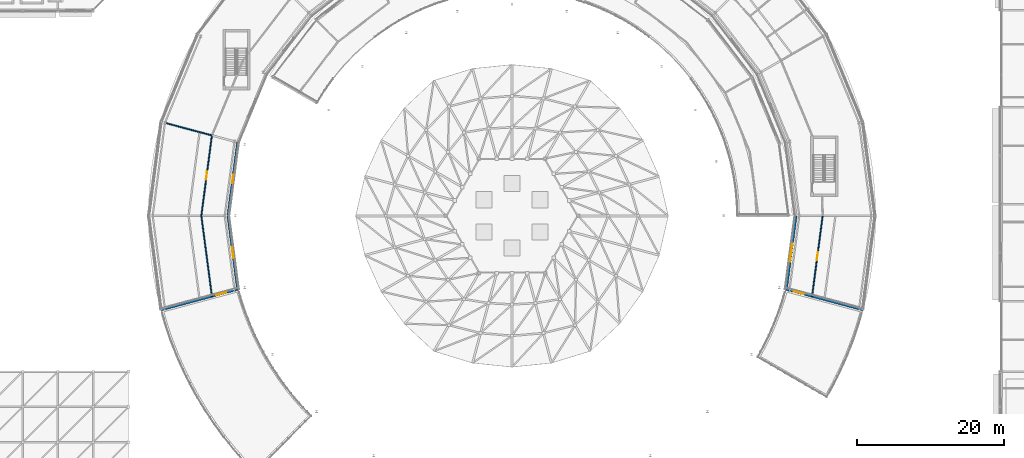
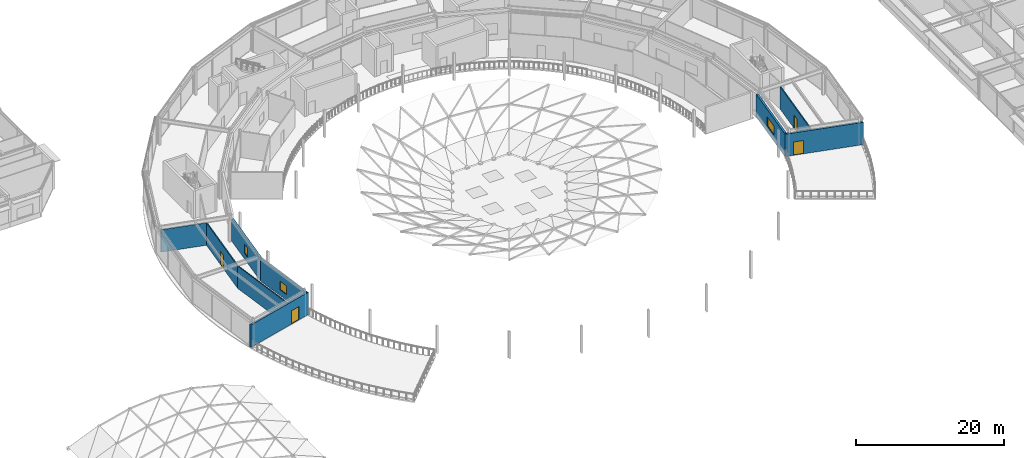
# One storey, part 82 of 116: 9 walls, 4 doors, 3 windows, 7 openings.
"""IFC4 building model written with IfcOpenShell, lengths in metres."""

from ifc_helpers import new_model, si_unit, direction, frame, frame_2d, origin, place, context, subcontext, project, spatial, rectangle, extrude, material, layer, layer_set, type_object, element, fill, save


model = new_model("IFC4")

# Units and contexts
model_context = context("Model", 3, precision=1e-05, world=origin(), true_north=direction((0.0, 1.0)))
body_context = subcontext(model_context, "Body", "Model", "MODEL_VIEW")
ifc_project = project(units=[si_unit("LENGTHUNIT", "METRE"), si_unit("AREAUNIT", "SQUARE_METRE"), si_unit("VOLUMEUNIT", "CUBIC_METRE"), si_unit("PLANEANGLEUNIT", "RADIAN"), si_unit("MASSUNIT", "GRAM", prefix="KILO")], contexts=[model_context])

# Site, building, storey
site_placement = place(None, origin())
site = spatial("IfcSite", under=ifc_project, at=site_placement, CompositionType="ELEMENT")
building_placement = place(site_placement, origin())
building = spatial("IfcBuilding", under=site, at=building_placement, Name="Almandine Court Research Institute", CompositionType="ELEMENT")
storey_placement = place(building_placement, frame((0.0, 0.0, 14.35009765625)))
storey = spatial("IfcBuildingStorey", under=building, at=storey_placement, Name="L03", CompositionType="ELEMENT", Elevation=14.35009765625)

# Wall, opening, window
ifc_material_1 = material(Name="Insulated Ochre Terracotta Rainscreen Wall", Category="masonry")
ifc_layer_1 = layer(ifc_material_1, 0.2900390625)
ifc_layer_set_1 = layer_set([ifc_layer_1], Name="Insulated Ochre Terracotta Rainscreen Wall")
wall_type_1 = type_object("IfcWallType", Name="Wall-EXT-TERR-290", PredefinedType="SOLIDWALL", material=ifc_layer_set_1)
wall_1_placement = place(storey_placement, frame((124.343994140625, 46.0, 0.0), z_axis=(0.0, 0.0, 1.0), x_axis=(0.130450126879, 0.991454872597, 0.0)))
wall_1 = element("IfcWall", 1, at=wall_1_placement, inside=storey, type_object=wall_type_1, Name="L03 Drum Inner Gallery Wall 23", PredefinedType="SOLIDWALL", context=body_context, shape_type="SweptSolid", body=[
    extrude(rectangle(XDim=10.080078125, YDim=0.2900390625, at=frame_2d((5.0400390625, 0.0))), origin(), (0.0, 0.0, 1.0), 3.68701171875),
])
opening_1_placement = place(wall_1_placement, frame((3.800048828125, 0.0, 0.949951171875)))
opening_1 = element("IfcOpeningElement", 2, at=opening_1_placement, cuts=wall_1, Name="Opening WN-112", PredefinedType="OPENING", context=body_context, shape_type="SweptSolid", body=[
    extrude(rectangle(XDim=2.47998046875, YDim=1.510009765625, at=frame_2d((1.239990234375, 0.7548828125))), frame((0.0, 0.155029296875, 0.0), z_axis=(0.0, -1.0, 0.0), x_axis=(1.0, 0.0, 0.0)), (0.0, 0.0, 1.0), 0.31005859375),
])
ifc_material_2 = material(Name="Thermally Broken Low-E Double-Glazed Window", Category="glass")
window_type_1 = type_object("IfcWindowType", Name="Win-WN-112-2480x1510", PartitioningType="SINGLE_PANEL", PredefinedType="WINDOW", material=ifc_material_2)
window_1_placement = place(opening_1_placement, origin())
window_1 = element("IfcWindow", 3, at=window_1_placement, inside=storey, type_object=window_type_1, Name="L03 Modular Recessed Low-E Window 276", OverallHeight=1.510009765625, OverallWidth=2.47998046875, PartitioningType="SINGLE_PANEL", PredefinedType="WINDOW", context=body_context, shape_type="SweptSolid", body=[
    extrude(rectangle(XDim=2.47998046875, YDim=1.510009765625, at=frame_2d((1.239990234375, 0.7548828125))), frame((0.0, 0.030029296875, 0.0), z_axis=(0.0, -1.0, 0.0), x_axis=(1.0, 0.0, 0.0)), (0.0, 0.0, 1.0), 0.06005859375),
])
fill(opening_1, window_1)

wall_2_placement = place(storey_placement, frame((49.656005859375, 66.0, 0.0), z_axis=(0.0, 0.0, 1.0), x_axis=(-0.130450126879, -0.991454872597, 0.0)))
wall_2 = element("IfcWall", 4, at=wall_2_placement, inside=storey, type_object=wall_type_1, Name="L03 Drum Inner Gallery Wall 11", PredefinedType="SOLIDWALL", context=body_context, shape_type="SweptSolid", body=[
    extrude(rectangle(XDim=10.080078125, YDim=0.2900390625, at=frame_2d((5.0400390625, 0.0))), origin(), (0.0, 0.0, 1.0), 3.68701171875),
])
opening_2_placement = place(wall_2_placement, frame((4.4599609375, 0.0, 0.949951171875)))
opening_2 = element("IfcOpeningElement", 5, at=opening_2_placement, cuts=wall_2, Name="Opening WN-100", PredefinedType="OPENING", context=body_context, shape_type="SweptSolid", body=[
    extrude(rectangle(XDim=1.159912109375, YDim=1.510009765625, at=frame_2d((0.580078125, 0.7548828125))), frame((0.0, 0.155029296875, 0.0), z_axis=(0.0, -1.0, 0.0), x_axis=(1.0, 0.0, 0.0)), (0.0, 0.0, 1.0), 0.31005859375),
])
window_type_2 = type_object("IfcWindowType", Name="Win-WN-100-1160x1510", PartitioningType="SINGLE_PANEL", PredefinedType="WINDOW", material=ifc_material_2)
window_2_placement = place(opening_2_placement, origin())
window_2 = element("IfcWindow", 6, at=window_2_placement, inside=storey, type_object=window_type_2, Name="L03 Modular Recessed Low-E Window 288", OverallHeight=1.510009765625, OverallWidth=1.159912109375, PartitioningType="SINGLE_PANEL", PredefinedType="WINDOW", context=body_context, shape_type="SweptSolid", body=[
    extrude(rectangle(XDim=1.159912109375, YDim=1.510009765625, at=frame_2d((0.580078125, 0.7548828125))), frame((0.0, 0.030029296875, 0.0), z_axis=(0.0, -1.0, 0.0), x_axis=(1.0, 0.0, 0.0)), (0.0, 0.0, 1.0), 0.06005859375),
])
fill(opening_2, window_2)

wall_3_placement = place(storey_placement, frame((48.341064453125, 55.993896484375, 0.0), z_axis=(0.0, 0.0, 1.0), x_axis=(0.130450126879, -0.991454872597, 0.0)))
wall_3 = element("IfcWall", 7, at=wall_3_placement, inside=storey, type_object=wall_type_1, Name="L03 Drum Inner Gallery Wall 12", PredefinedType="SOLIDWALL", context=body_context, shape_type="SweptSolid", body=[
    extrude(rectangle(XDim=10.080078125, YDim=0.2900390625, at=frame_2d((5.0400390625, 0.0))), origin(), (0.0, 0.0, 1.0), 3.68701171875),
])
opening_3_placement = place(wall_3_placement, frame((4.294921875, 0.0, 0.949951171875)))
opening_3 = element("IfcOpeningElement", 8, at=opening_3_placement, cuts=wall_3, Name="Opening WN-32", PredefinedType="OPENING", context=body_context, shape_type="SweptSolid", body=[
    extrude(rectangle(XDim=1.489990234375, YDim=1.429931640625, at=frame_2d((0.7451171875, 0.71484375))), frame((0.0, 0.155029296875, 0.0), z_axis=(0.0, -1.0, 0.0), x_axis=(1.0, 0.0, 0.0)), (0.0, 0.0, 1.0), 0.31005859375),
])
window_type_3 = type_object("IfcWindowType", Name="Win-WN-32-1490x1430", PartitioningType="SINGLE_PANEL", PredefinedType="WINDOW", material=ifc_material_2)
window_3_placement = place(opening_3_placement, origin())
window_3 = element("IfcWindow", 9, at=window_3_placement, inside=storey, type_object=window_type_3, Name="L03 Modular Recessed Low-E Window 289", OverallHeight=1.429931640625, OverallWidth=1.489990234375, PartitioningType="SINGLE_PANEL", PredefinedType="WINDOW", context=body_context, shape_type="SweptSolid", body=[
    extrude(rectangle(XDim=1.489990234375, YDim=1.429931640625, at=frame_2d((0.7451171875, 0.71484375))), frame((0.0, 0.030029296875, 0.0), z_axis=(0.0, -1.0, 0.0), x_axis=(1.0, 0.0, 0.0)), (0.0, 0.0, 1.0), 0.06005859375),
])
fill(opening_3, window_3)

# Wall, opening, door
wall_4_placement = place(storey_placement, frame((124.2109375, 46.029052734375, 0.0), z_axis=(0.0, 0.0, 1.0), x_axis=(0.965941286082, -0.258761341476, 0.0)))
wall_4 = element("IfcWall", 10, at=wall_4_placement, inside=storey, type_object=wall_type_1, Name="L03 Drum Radial End Wall START", PredefinedType="SOLIDWALL", context=body_context, shape_type="SweptSolid", body=[
    extrude(rectangle(XDim=10.9521484375, YDim=0.2900390625, at=frame_2d((5.47607421875, 0.0))), origin(), (0.0, 0.0, 1.0), 3.68701171875),
])
opening_4_placement = place(wall_4_placement, frame((1.199951171875, 0.0, 0.0)))
opening_4 = element("IfcOpeningElement", 11, at=opening_4_placement, cuts=wall_4, Name="Opening TD-01", PredefinedType="OPENING", context=body_context, shape_type="SweptSolid", body=[
    extrude(rectangle(XDim=1.39990234375, YDim=2.199951171875, at=frame_2d((0.699951171875, 1.10009765625))), frame((0.0, 0.155029296875, 0.0), z_axis=(0.0, -1.0, 0.0), x_axis=(1.0, 0.0, 0.0)), (0.0, 0.0, 1.0), 0.31005859375),
])
ifc_material_3 = material(Name="Thermally Broken Glazed Terrace Door")
door_type_1 = type_object("IfcDoorType", Name="Door-TER-1400", OperationType="DOUBLE_DOOR_SINGLE_SWING", PredefinedType="DOOR", material=ifc_material_3)
door_1_placement = place(opening_4_placement, origin())
door_1 = element("IfcDoor", 12, at=door_1_placement, inside=storey, type_object=door_type_1, Name="L03 Drum START Stepped Ring Terrace Door", OperationType="DOUBLE_DOOR_SINGLE_SWING", OverallHeight=2.199951171875, OverallWidth=1.39990234375, PredefinedType="DOOR", context=body_context, shape_type="SweptSolid", body=[
    extrude(rectangle(XDim=1.39990234375, YDim=2.199951171875, at=frame_2d((0.699951171875, 1.10009765625))), frame((0.0, 0.02490234375, 0.0), z_axis=(0.0, -1.0, 0.0), x_axis=(1.0, 0.0, 0.0)), (0.0, 0.0, 1.0), 0.050048828125),
])
fill(opening_4, door_1)

wall_5_placement = place(storey_placement, frame((39.2099609375, 43.195068359375, 0.0), z_axis=(0.0, 0.0, 1.0), x_axis=(0.965941286082, 0.258761341476, 0.0)))
wall_5 = element("IfcWall", 13, at=wall_5_placement, inside=storey, type_object=wall_type_1, Name="L03 Drum Radial End Wall END", PredefinedType="SOLIDWALL", context=body_context, shape_type="SweptSolid", body=[
    extrude(rectangle(XDim=10.9521484375, YDim=0.2900390625, at=frame_2d((5.47607421875, 0.0))), origin(), (0.0, 0.0, 1.0), 3.68701171875),
])
opening_5_placement = place(wall_5_placement, frame((7.800048828125, 0.0, 0.0)))
opening_5 = element("IfcOpeningElement", 14, at=opening_5_placement, cuts=wall_5, Name="Opening TD-01", PredefinedType="OPENING", context=body_context, shape_type="SweptSolid", body=[
    extrude(rectangle(XDim=1.39990234375, YDim=2.199951171875, at=frame_2d((0.699951171875, 1.10009765625))), frame((0.0, 0.155029296875, 0.0), z_axis=(0.0, -1.0, 0.0), x_axis=(1.0, 0.0, 0.0)), (0.0, 0.0, 1.0), 0.31005859375),
])
door_2_placement = place(opening_5_placement, origin())
door_2 = element("IfcDoor", 15, at=door_2_placement, inside=storey, type_object=door_type_1, Name="L03 Drum END Stepped Ring Terrace Door", OperationType="DOUBLE_DOOR_SINGLE_SWING", OverallHeight=2.199951171875, OverallWidth=1.39990234375, PredefinedType="DOOR", context=body_context, shape_type="SweptSolid", body=[
    extrude(rectangle(XDim=1.39990234375, YDim=2.199951171875, at=frame_2d((0.699951171875, 1.10009765625))), frame((0.0, 0.02490234375, 0.0), z_axis=(0.0, -1.0, 0.0), x_axis=(1.0, 0.0, 0.0)), (0.0, 0.0, 1.0), 0.050048828125),
])
fill(opening_5, door_2)

ifc_material_4 = material(Name="Acoustic Steel-Stud Gypsum Partition Wall", Category="steel")
ifc_layer_2 = layer(ifc_material_4, 0.14990234375)
ifc_layer_set_2 = layer_set([ifc_layer_2], Name="Acoustic Steel-Stud Gypsum Partition Wall")
wall_type_2 = type_object("IfcWallType", Name="Wall-PART-150", PredefinedType="PARTITIONING", material=ifc_layer_set_2)
wall_6_placement = place(storey_placement, frame((127.839111328125, 45.056884765625, 0.0), z_axis=(0.0, 0.0, 1.0), x_axis=(0.130546632054, 0.991442170204, 0.0)))
wall_6 = element("IfcWall", 16, at=wall_6_placement, inside=storey, type_object=wall_type_2, Name="L03 Interior Partition W-V5-L03-CHD-23", PredefinedType="PARTITIONING", context=body_context, shape_type="SweptSolid", body=[
    extrude(rectangle(XDim=11.03759765625, YDim=0.14990234375, at=frame_2d((5.518798828125, 0.0))), origin(), (0.0, 0.0, 1.0), 3.69091796875),
])
opening_6_placement = place(wall_6_placement, frame((4.949951171875, 0.0, 0.0)))
opening_6 = element("IfcOpeningElement", 17, at=opening_6_placement, cuts=wall_6, Name="Opening D-03", PredefinedType="OPENING", context=body_context, shape_type="SweptSolid", body=[
    extrude(rectangle(XDim=1.10009765625, YDim=2.199951171875, at=frame_2d((0.550048828125, 1.10009765625))), frame((0.0, 0.0849609375, 0.0), z_axis=(0.0, -1.0, 0.0), x_axis=(1.0, 0.0, 0.0)), (0.0, 0.0, 1.0), 0.169921875),
])
ifc_material_5 = material(Name="Acoustic Vision-Panel Seminar Door")
door_type_2 = type_object("IfcDoorType", Name="Door-INT-1100", OperationType="NOTDEFINED", PredefinedType="DOOR", material=ifc_material_5)
door_3_placement = place(opening_6_placement, origin())
door_3 = element("IfcDoor", 18, at=door_3_placement, inside=storey, type_object=door_type_2, Name="L03 Drum Bioinformatics Laboratory Door", OperationType="SINGLE_SWING_RIGHT", OverallHeight=2.199951171875, OverallWidth=1.10009765625, PredefinedType="DOOR", context=body_context, shape_type="SweptSolid", body=[
    extrude(rectangle(XDim=1.10009765625, YDim=2.199951171875, at=frame_2d((0.550048828125, 1.10009765625))), frame((0.0, 0.02490234375, 0.0), z_axis=(0.0, -1.0, 0.0), x_axis=(1.0, 0.0, 0.0)), (0.0, 0.0, 1.0), 0.050048828125),
])
fill(opening_6, door_3)

wall_7_placement = place(storey_placement, frame((46.160888671875, 66.943115234375, 0.0), z_axis=(0.0, 0.0, 1.0), x_axis=(-0.130546632054, -0.991442170204, 0.0)))
wall_7 = element("IfcWall", 19, at=wall_7_placement, inside=storey, type_object=wall_type_2, Name="L03 Interior Partition W-V5-L03-CHD-11", PredefinedType="PARTITIONING", context=body_context, shape_type="SweptSolid", body=[
    extrude(rectangle(XDim=11.03759765625, YDim=0.14990234375, at=frame_2d((5.518798828125, 0.0))), origin(), (0.0, 0.0, 1.0), 3.69091796875),
])
opening_7_placement = place(wall_7_placement, frame((4.949951171875, 0.0, 0.0)))
opening_7 = element("IfcOpeningElement", 20, at=opening_7_placement, cuts=wall_7, Name="Opening D-03", PredefinedType="OPENING", context=body_context, shape_type="SweptSolid", body=[
    extrude(rectangle(XDim=1.10009765625, YDim=2.199951171875, at=frame_2d((0.550048828125, 1.10009765625))), frame((0.0, 0.0849609375, 0.0), z_axis=(0.0, -1.0, 0.0), x_axis=(1.0, 0.0, 0.0)), (0.0, 0.0, 1.0), 0.169921875),
])
door_4_placement = place(opening_7_placement, origin())
door_4 = element("IfcDoor", 21, at=door_4_placement, inside=storey, type_object=door_type_2, Name="L03 Drum Write-up Office Door", OperationType="SINGLE_SWING_LEFT", OverallHeight=2.199951171875, OverallWidth=1.10009765625, PredefinedType="DOOR", context=body_context, shape_type="SweptSolid", body=[
    extrude(rectangle(XDim=1.10009765625, YDim=2.199951171875, at=frame_2d((0.550048828125, 1.10009765625))), frame((0.0, 0.02490234375, 0.0), z_axis=(0.0, -1.0, 0.0), x_axis=(1.0, 0.0, 0.0)), (0.0, 0.0, 1.0), 0.050048828125),
])
fill(opening_7, door_4)

# Walls
wall_8_placement = place(storey_placement, frame((44.719970703125, 56.0, 0.0), z_axis=(0.0, 0.0, 1.0), x_axis=(0.130546632054, -0.991442170204, 0.0)))
element("IfcWall", 22, at=wall_8_placement, inside=storey, type_object=wall_type_2, Name="L03 Interior Partition W-V5-L03-CHD-12", PredefinedType="PARTITIONING", context=body_context, shape_type="SweptSolid", body=[
    extrude(rectangle(XDim=11.03759765625, YDim=0.14990234375, at=frame_2d((5.518798828125, 0.0))), origin(), (0.0, 0.0, 1.0), 3.69091796875),
])
wall_9_placement = place(storey_placement, frame((46.160888671875, 66.943115234375, 0.0), z_axis=(0.0, 0.0, 1.0), x_axis=(-0.965922162166, 0.258832719409, 0.0)))
element("IfcWall", 23, at=wall_9_placement, inside=storey, type_object=wall_type_2, Name="L03 Interior Partition W-V5-L03-RAD-11", PredefinedType="PARTITIONING", context=body_context, shape_type="SweptSolid", body=[
    extrude(rectangle(XDim=6.4404296875, YDim=0.14990234375, at=frame_2d((3.22021484375, 0.0))), origin(), (0.0, 0.0, 1.0), 3.69091796875),
])

save(model, "model.ifc")
